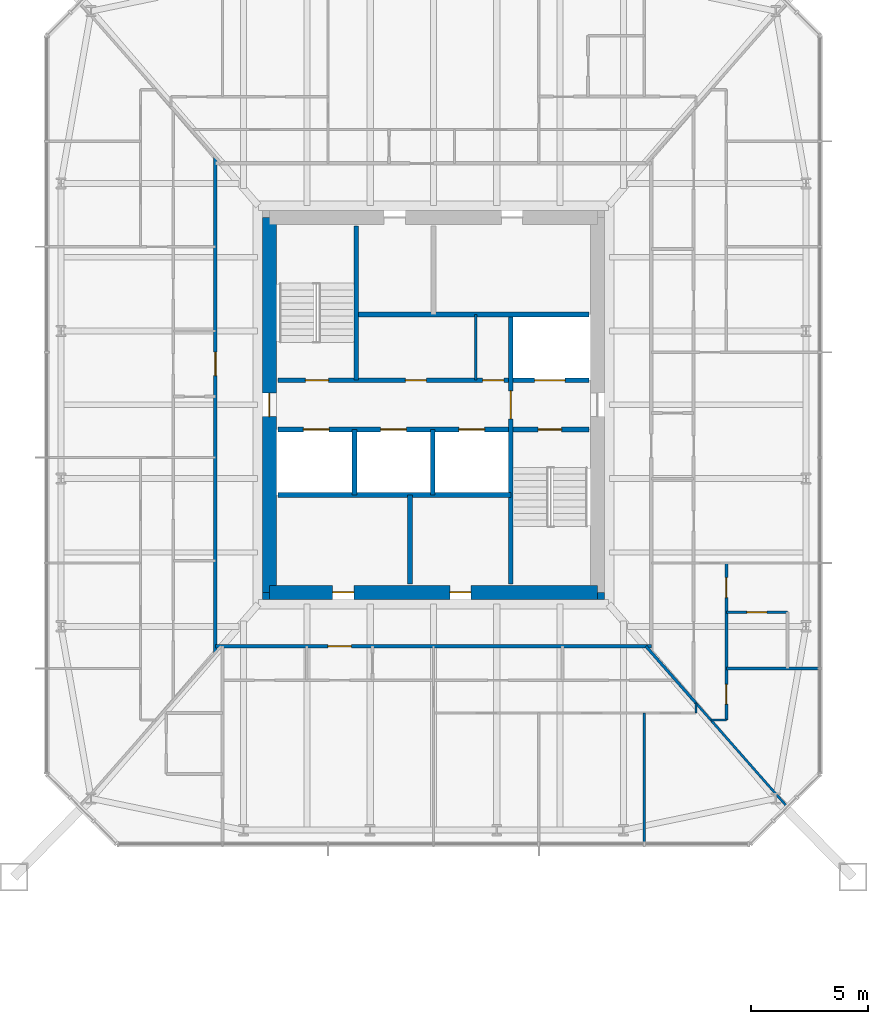
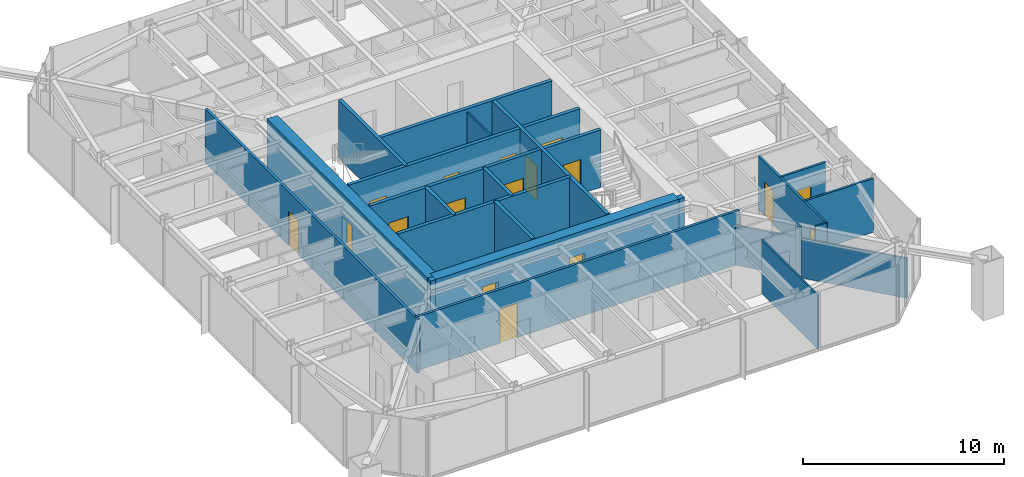
# One storey, part 19 of 26: 24 walls, 17 doors, 17 openings.
"""IFC4 building model written with IfcOpenShell, lengths in metres."""

from ifc_helpers import new_model, si_unit, direction, frame, frame_2d, origin, place, context, subcontext, project, spatial, rectangle, extrude, material, layer, layer_set, type_object, element, fill, save


model = new_model("IFC4")

# Units and contexts
model_context = context("Model", 3, precision=1e-05, world=origin(), true_north=direction((0.0, 1.0)))
body_context = subcontext(model_context, "Body", "Model", "MODEL_VIEW")
ifc_project = project(units=[si_unit("LENGTHUNIT", "METRE"), si_unit("AREAUNIT", "SQUARE_METRE"), si_unit("VOLUMEUNIT", "CUBIC_METRE"), si_unit("PLANEANGLEUNIT", "RADIAN"), si_unit("MASSUNIT", "GRAM", prefix="KILO")], contexts=[model_context])

# Site, building, storey
site_placement = place(None, origin())
site = spatial("IfcSite", under=ifc_project, at=site_placement, CompositionType="ELEMENT")
building_placement = place(site_placement, origin())
building = spatial("IfcBuilding", under=site, at=building_placement, Name="Iwan Alto Co-Living Towers", CompositionType="ELEMENT")
storey_placement = place(building_placement, frame((0.0, 0.0, 29.0)))
storey = spatial("IfcBuildingStorey", under=building, at=storey_placement, Name="L07", CompositionType="ELEMENT", Elevation=29.0)

# Wall, opening, door
ifc_material_1 = material(Name="Gypsum board")
ifc_layer_1 = layer(ifc_material_1, 0.02490234375, Name="Board", Category="Finish")
ifc_material_2 = material(Name="Steel ASTM A1003 ST33H cold-formed studs", Category="steel")
ifc_layer_2 = layer(ifc_material_2, 0.10009765625, Name="Studs", Category="Framing")
ifc_layer_3 = layer(ifc_material_1, 0.02490234375, Name="Board", Category="Finish")
ifc_layer_set_1 = layer_set([ifc_layer_1, ifc_layer_2, ifc_layer_3], Name="CORRIDOR WALL 150")
wall_type_1 = type_object("IfcWallType", Name="CORRIDOR WALL 150", PredefinedType="PARTITIONING", material=ifc_layer_set_1)
wall_1_placement = place(storey_placement, frame((53.699951171875, -10.300048828125, 0.0), z_axis=(0.0, 0.0, 1.0), x_axis=(1.0, 0.0, 0.0)))
wall_1 = element("IfcWall", 1, at=wall_1_placement, inside=storey, type_object=wall_type_1, Name="Partition L07", PredefinedType="PARTITIONING", context=body_context, shape_type="SweptSolid", body=[
    extrude(rectangle(XDim=18.60009765625, YDim=0.14990234375, at=frame_2d((9.300048828125, 0.0))), origin(), (0.0, 0.0, 1.0), 3.27001953125),
])
opening_1_placement = place(wall_1_placement, frame((4.800048828125, 0.0, 0.0)))
opening_1 = element("IfcOpeningElement", 2, at=opening_1_placement, cuts=wall_1, Name="Opening D3", PredefinedType="OPENING", context=body_context, shape_type="SweptSolid", body=[
    extrude(rectangle(XDim=1.0, YDim=2.10009765625, at=frame_2d((0.5, 1.050048828125))), frame((0.0, 0.0849609375, 0.0), z_axis=(0.0, -1.0, 0.0), x_axis=(1.0, 0.0, 0.0)), (0.0, 0.0, 1.0), 0.169921875),
])
ifc_material_3 = material(Name="Steel frame with timber leaf", Category="steel")
door_type_1 = type_object("IfcDoorType", Name="FLAT ENTRANCE DOOR FD30S 1000X2100", OperationType="SINGLE_SWING_LEFT", PredefinedType="DOOR", material=ifc_material_3)
door_1_placement = place(opening_1_placement, frame((1.0, 0.0, 0.0), z_axis=(0.0, 0.0, 1.0), x_axis=(-1.0, 0.0, 0.0)))
door_1 = element("IfcDoor", 3, at=door_1_placement, inside=storey, type_object=door_type_1, Name="Apartment foyer door L07", OperationType="SINGLE_SWING_RIGHT", OverallHeight=2.10009765625, OverallWidth=1.0, PredefinedType="DOOR", context=body_context, shape_type="SweptSolid", body=[
    extrude(rectangle(XDim=1.0, YDim=2.10009765625, at=frame_2d((0.5, 1.050048828125))), frame((0.0, 0.02490234375, 0.0), z_axis=(0.0, -1.0, 0.0), x_axis=(1.0, 0.0, 0.0)), (0.0, 0.0, 1.0), 0.050048828125),
])
fill(opening_1, door_1)

wall_2_placement = place(storey_placement, frame((53.699951171875, -10.568115234375, 0.0), z_axis=(0.0, 0.0, 1.0), x_axis=(0.0, 1.0, 0.0)))
wall_2 = element("IfcWall", 4, at=wall_2_placement, inside=storey, type_object=wall_type_1, Name="Partition L07", PredefinedType="PARTITIONING", context=body_context, shape_type="SweptSolid", body=[
    extrude(rectangle(XDim=21.13623046875, YDim=0.14990234375, at=frame_2d((10.568115234375, 0.0))), origin(), (0.0, 0.0, 1.0), 3.27001953125),
])
opening_2_placement = place(wall_2_placement, frame((11.818115234375, 0.0, 0.0)))
opening_2 = element("IfcOpeningElement", 5, at=opening_2_placement, cuts=wall_2, Name="Opening D3", PredefinedType="OPENING", context=body_context, shape_type="SweptSolid", body=[
    extrude(rectangle(XDim=1.0, YDim=2.10009765625, at=frame_2d((0.5, 1.050048828125))), frame((0.0, 0.0849609375, 0.0), z_axis=(0.0, -1.0, 0.0), x_axis=(1.0, 0.0, 0.0)), (0.0, 0.0, 1.0), 0.169921875),
])
door_2_placement = place(opening_2_placement, origin())
door_2 = element("IfcDoor", 6, at=door_2_placement, inside=storey, type_object=door_type_1, Name="Apartment foyer door L07", OperationType="SINGLE_SWING_LEFT", OverallHeight=2.10009765625, OverallWidth=1.0, PredefinedType="DOOR", context=body_context, shape_type="SweptSolid", body=[
    extrude(rectangle(XDim=1.0, YDim=2.10009765625, at=frame_2d((0.5, 1.050048828125))), frame((0.0, 0.02490234375, 0.0), z_axis=(0.0, -1.0, 0.0), x_axis=(1.0, 0.0, 0.0)), (0.0, 0.0, 1.0), 0.050048828125),
])
fill(opening_2, door_2)

# Walls
ifc_layer_4 = layer(ifc_material_1, 0.012451171875, Name="Board", Category="Finish")
ifc_layer_5 = layer(ifc_material_2, 0.074951171875, Name="Studs", Category="Framing")
ifc_layer_6 = layer(ifc_material_1, 0.012451171875, Name="Board", Category="Finish")
ifc_layer_set_2 = layer_set([ifc_layer_4, ifc_layer_5, ifc_layer_6], Name="PARTITION 100")
wall_type_2 = type_object("IfcWallType", Name="PARTITION 100", PredefinedType="PARTITIONING", material=ifc_layer_set_2)
wall_3_placement = place(storey_placement, frame((74.8359375, -13.449951171875, 0.0), z_axis=(0.0, 0.0, 1.0), x_axis=(1.0, 0.0, 0.0)))
element("IfcWall", 7, at=wall_3_placement, inside=storey, type_object=wall_type_2, Name="Partition L07", PredefinedType="PARTITIONING", context=body_context, shape_type="SweptSolid", body=[
    extrude(rectangle(XDim=0.6640625, YDim=0.10009765625, at=frame_2d((0.33203125, 0.0))), origin(), (0.0, 0.0, 1.0), 3.27001953125),
])
wall_4_placement = place(storey_placement, frame((74.199951171875, -13.14990234375, 0.0), z_axis=(0.0, 0.0, 1.0), x_axis=(0.0, 1.0, 0.0)))
element("IfcWall", 8, at=wall_4_placement, inside=storey, type_object=wall_type_2, Name="Partition L07", PredefinedType="PARTITIONING", context=body_context, shape_type="SweptSolid", body=[
    extrude(rectangle(XDim=0.4228515625, YDim=0.10009765625, at=frame_2d((0.21142578125, 0.0))), origin(), (0.0, 0.0, 1.0), 3.27001953125),
])
wall_5_placement = place(storey_placement, frame((72.0, -18.68994140625, 0.0), z_axis=(0.0, 0.0, 1.0), x_axis=(0.0, 1.0, 0.0)))
element("IfcWall", 9, at=wall_5_placement, inside=storey, type_object=wall_type_2, Name="Partition L07", PredefinedType="PARTITIONING", context=body_context, shape_type="SweptSolid", body=[
    extrude(rectangle(XDim=5.5400390625, YDim=0.10009765625, at=frame_2d((2.77001953125, 0.0))), origin(), (0.0, 0.0, 1.0), 3.27001953125),
])
wall_6_placement = place(storey_placement, frame((64.800048828125, 1.050048828125, 0.0), z_axis=(0.0, 0.0, 1.0), x_axis=(0.0, 1.0, 0.0)))
element("IfcWall", 10, at=wall_6_placement, inside=storey, type_object=wall_type_2, Name="Partition L07", PredefinedType="PARTITIONING", context=body_context, shape_type="SweptSolid", body=[
    extrude(rectangle(XDim=2.800048828125, YDim=0.10009765625, at=frame_2d((1.39990234375, 0.0))), origin(), (0.0, 0.0, 1.0), 3.300048828125),
])
wall_7_placement = place(storey_placement, frame((78.056884765625, -17.109130859375, 0.0), z_axis=(0.0, 0.0, 1.0), x_axis=(-0.660698595885, 0.750651294141, 0.0)))
element("IfcWall", 11, at=wall_7_placement, inside=storey, type_object=wall_type_2, Name="Partition L07", PredefinedType="PARTITIONING", context=body_context, shape_type="SweptSolid", body=[
    extrude(rectangle(XDim=5.838134765625, YDim=0.10009765625, at=frame_2d((2.9189453125, 0.0))), origin(), (0.0, 0.0, 1.0), 2.42919921875),
])
ifc_material_4 = material(Name="Concrete f'c 70 MPa", Category="concrete")
ifc_layer_7 = layer(ifc_material_4, 0.199951171875)
ifc_layer_set_3 = layer_set([ifc_layer_7], Name="SHAFT WALL 200")
wall_type_3 = type_object("IfcWallType", Name="SHAFT WALL 200", PredefinedType="SOLIDWALL", material=ifc_layer_set_3)
wall_8_placement = place(storey_placement, frame((56.360107421875, -3.85009765625, 0.0), z_axis=(0.0, 0.0, 1.0), x_axis=(1.0, 0.0, 0.0)))
element("IfcWall", 12, at=wall_8_placement, inside=storey, type_object=wall_type_3, Name="Shaft wall L07", PredefinedType="SOLIDWALL", context=body_context, shape_type="SweptSolid", body=[
    extrude(rectangle(XDim=9.93994140625, YDim=0.199951171875, at=frame_2d((4.969970703125, 0.0))), origin(), (0.0, 0.0, 1.0), 3.5),
])

# Wall, openings, doors
wall_9_placement = place(storey_placement, frame((56.360107421875, -1.050048828125, 0.0), z_axis=(0.0, 0.0, 1.0), x_axis=(1.0, 0.0, 0.0)))
wall_9 = element("IfcWall", 13, at=wall_9_placement, inside=storey, type_object=wall_type_3, Name="Shaft wall L07", PredefinedType="SOLIDWALL", context=body_context, shape_type="SweptSolid", body=[
    extrude(rectangle(XDim=13.27978515625, YDim=0.199951171875, at=frame_2d((6.639892578125, 0.0))), origin(), (0.0, 0.0, 1.0), 3.5),
])
opening_3_placement = place(wall_9_placement, frame((11.110107421875, 0.0, 0.0)))
opening_3 = element("IfcOpeningElement", 14, at=opening_3_placement, cuts=wall_9, Name="Opening D5", PredefinedType="OPENING", context=body_context, shape_type="SweptSolid", body=[
    extrude(rectangle(XDim=1.0, YDim=2.10009765625, at=frame_2d((0.5, 1.050048828125))), frame((0.0, 0.10986328125, 0.0), z_axis=(0.0, -1.0, 0.0), x_axis=(1.0, 0.0, 0.0)), (0.0, 0.0, 1.0), 0.219970703125),
])
opening_4_placement = place(wall_9_placement, frame((1.0869140625, 0.0, 0.0)))
opening_4 = element("IfcOpeningElement", 15, at=opening_4_placement, cuts=wall_9, Name="Opening LD", PredefinedType="OPENING", context=body_context, shape_type="SweptSolid", body=[
    extrude(rectangle(XDim=1.10009765625, YDim=2.10009765625, at=frame_2d((0.550048828125, 1.050048828125))), frame((0.0, 0.10986328125, 0.0), z_axis=(0.0, -1.0, 0.0), x_axis=(1.0, 0.0, 0.0)), (0.0, 0.0, 1.0), 0.219970703125),
])
opening_5_placement = place(wall_9_placement, frame((4.389892578125, 0.0, 0.0)))
opening_5 = element("IfcOpeningElement", 16, at=opening_5_placement, cuts=wall_9, Name="Opening LD", PredefinedType="OPENING", context=body_context, shape_type="SweptSolid", body=[
    extrude(rectangle(XDim=1.10009765625, YDim=2.10009765625, at=frame_2d((0.550048828125, 1.050048828125))), frame((0.0, 0.10986328125, 0.0), z_axis=(0.0, -1.0, 0.0), x_axis=(1.0, 0.0, 0.0)), (0.0, 0.0, 1.0), 0.219970703125),
])
opening_6_placement = place(wall_9_placement, frame((7.72412109375, 0.0, 0.0)))
opening_6 = element("IfcOpeningElement", 17, at=opening_6_placement, cuts=wall_9, Name="Opening LD", PredefinedType="OPENING", context=body_context, shape_type="SweptSolid", body=[
    extrude(rectangle(XDim=1.10009765625, YDim=2.10009765625, at=frame_2d((0.550048828125, 1.050048828125))), frame((0.0, 0.10986328125, 0.0), z_axis=(0.0, -1.0, 0.0), x_axis=(1.0, 0.0, 0.0)), (0.0, 0.0, 1.0), 0.219970703125),
])
ifc_material_5 = material(Name="Steel frame with timber leaf", Category="steel")
door_type_2 = type_object("IfcDoorType", Name="LIFT LANDING DOOR 1100X2100", OperationType="DOUBLE_DOOR_SLIDING", PredefinedType="DOOR", material=ifc_material_5)
door_3_placement = place(opening_4_placement, origin())
door_3 = element("IfcDoor", 18, at=door_3_placement, inside=storey, type_object=door_type_2, Name="Lift P5-1 landing door L07", OperationType="DOUBLE_DOOR_SLIDING", OverallHeight=2.10009765625, OverallWidth=1.10009765625, PredefinedType="DOOR", context=body_context, shape_type="SweptSolid", body=[
    extrude(rectangle(XDim=1.10009765625, YDim=2.10009765625, at=frame_2d((0.550048828125, 1.050048828125))), frame((0.0, 0.02490234375, 0.0), z_axis=(0.0, -1.0, 0.0), x_axis=(1.0, 0.0, 0.0)), (0.0, 0.0, 1.0), 0.050048828125),
])
fill(opening_4, door_3)
door_4_placement = place(opening_5_placement, origin())
door_4 = element("IfcDoor", 19, at=door_4_placement, inside=storey, type_object=door_type_2, Name="Lift P5-2 landing door L07", OperationType="DOUBLE_DOOR_SLIDING", OverallHeight=2.10009765625, OverallWidth=1.10009765625, PredefinedType="DOOR", context=body_context, shape_type="SweptSolid", body=[
    extrude(rectangle(XDim=1.10009765625, YDim=2.10009765625, at=frame_2d((0.550048828125, 1.050048828125))), frame((0.0, 0.02490234375, 0.0), z_axis=(0.0, -1.0, 0.0), x_axis=(1.0, 0.0, 0.0)), (0.0, 0.0, 1.0), 0.050048828125),
])
fill(opening_5, door_4)
door_5_placement = place(opening_6_placement, origin())
door_5 = element("IfcDoor", 20, at=door_5_placement, inside=storey, type_object=door_type_2, Name="Lift P6-3 landing door L07", OperationType="DOUBLE_DOOR_SLIDING", OverallHeight=2.10009765625, OverallWidth=1.10009765625, PredefinedType="DOOR", context=body_context, shape_type="SweptSolid", body=[
    extrude(rectangle(XDim=1.10009765625, YDim=2.10009765625, at=frame_2d((0.550048828125, 1.050048828125))), frame((0.0, 0.02490234375, 0.0), z_axis=(0.0, -1.0, 0.0), x_axis=(1.0, 0.0, 0.0)), (0.0, 0.0, 1.0), 0.050048828125),
])
fill(opening_6, door_5)
ifc_material_6 = material(Name="Steel frame with timber leaf", Category="steel")
door_type_3 = type_object("IfcDoorType", Name="STAIR DOOR FD120S 1000X2100", OperationType="SINGLE_SWING_LEFT", PredefinedType="DOOR", material=ifc_material_6)
door_6_placement = place(opening_3_placement, frame((1.0, 0.0, 0.0), z_axis=(0.0, 0.0, 1.0), x_axis=(-1.0, 0.0, 0.0)))
door_6 = element("IfcDoor", 21, at=door_6_placement, inside=storey, type_object=door_type_3, Name="Stair S2 door L07", OperationType="SINGLE_SWING_RIGHT", OverallHeight=2.10009765625, OverallWidth=1.0, PredefinedType="DOOR", context=body_context, shape_type="SweptSolid", body=[
    extrude(rectangle(XDim=1.0, YDim=2.10009765625, at=frame_2d((0.5, 1.050048828125))), frame((0.0, 0.02490234375, 0.0), z_axis=(0.0, -1.0, 0.0), x_axis=(1.0, 0.0, 0.0)), (0.0, 0.0, 1.0), 0.050048828125),
])
fill(opening_3, door_6)

wall_10_placement = place(storey_placement, frame((56.360107421875, 1.050048828125, 0.0), z_axis=(0.0, 0.0, 1.0), x_axis=(1.0, 0.0, 0.0)))
wall_10 = element("IfcWall", 22, at=wall_10_placement, inside=storey, type_object=wall_type_3, Name="Shaft wall L07", PredefinedType="SOLIDWALL", context=body_context, shape_type="SweptSolid", body=[
    extrude(rectangle(XDim=13.27978515625, YDim=0.199951171875, at=frame_2d((6.639892578125, 0.0))), origin(), (0.0, 0.0, 1.0), 3.5),
])
opening_7_placement = place(wall_10_placement, frame((1.169921875, 0.0, 0.0)))
opening_7 = element("IfcOpeningElement", 23, at=opening_7_placement, cuts=wall_10, Name="Opening D5", PredefinedType="OPENING", context=body_context, shape_type="SweptSolid", body=[
    extrude(rectangle(XDim=1.0, YDim=2.10009765625, at=frame_2d((0.5, 1.050048828125))), frame((0.0, 0.10986328125, 0.0), z_axis=(0.0, -1.0, 0.0), x_axis=(1.0, 0.0, 0.0)), (0.0, 0.0, 1.0), 0.219970703125),
])
opening_8_placement = place(wall_10_placement, frame((5.43994140625, 0.0, 0.0)))
opening_8 = element("IfcOpeningElement", 24, at=opening_8_placement, cuts=wall_10, Name="Opening D8", PredefinedType="OPENING", context=body_context, shape_type="SweptSolid", body=[
    extrude(rectangle(XDim=0.89990234375, YDim=2.10009765625, at=frame_2d((0.449951171875, 1.050048828125))), frame((0.0, 0.10986328125, 0.0), z_axis=(0.0, -1.0, 0.0), x_axis=(1.0, 0.0, 0.0)), (0.0, 0.0, 1.0), 0.219970703125),
])
opening_9_placement = place(wall_10_placement, frame((8.739990234375, 0.0, 0.0)))
opening_9 = element("IfcOpeningElement", 25, at=opening_9_placement, cuts=wall_10, Name="Opening D15", PredefinedType="OPENING", context=body_context, shape_type="SweptSolid", body=[
    extrude(rectangle(XDim=0.89990234375, YDim=2.10009765625, at=frame_2d((0.449951171875, 1.050048828125))), frame((0.0, 0.10986328125, 0.0), z_axis=(0.0, -1.0, 0.0), x_axis=(1.0, 0.0, 0.0)), (0.0, 0.0, 1.0), 0.219970703125),
])
opening_10_placement = place(wall_10_placement, frame((10.9599609375, 0.0, 0.0)))
opening_10 = element("IfcOpeningElement", 26, at=opening_10_placement, cuts=wall_10, Name="Opening LD2", PredefinedType="OPENING", context=body_context, shape_type="SweptSolid", body=[
    extrude(rectangle(XDim=1.300048828125, YDim=2.10009765625, at=frame_2d((0.64990234375, 1.050048828125))), frame((0.0, 0.10986328125, 0.0), z_axis=(0.0, -1.0, 0.0), x_axis=(1.0, 0.0, 0.0)), (0.0, 0.0, 1.0), 0.219970703125),
])
ifc_material_7 = material(Name="Steel frame with timber leaf", Category="steel")
door_type_4 = type_object("IfcDoorType", Name="CORE ROOM DOOR FD60S 900X2100", OperationType="SINGLE_SWING_LEFT", PredefinedType="DOOR", material=ifc_material_7)
door_7_placement = place(opening_9_placement, origin())
door_7 = element("IfcDoor", 27, at=door_7_placement, inside=storey, type_object=door_type_4, Name="IT room door L07", OperationType="SINGLE_SWING_LEFT", OverallHeight=2.10009765625, OverallWidth=0.89990234375, PredefinedType="DOOR", context=body_context, shape_type="SweptSolid", body=[
    extrude(rectangle(XDim=0.89990234375, YDim=2.10009765625, at=frame_2d((0.449951171875, 1.050048828125))), frame((0.0, 0.02490234375, 0.0), z_axis=(0.0, -1.0, 0.0), x_axis=(1.0, 0.0, 0.0)), (0.0, 0.0, 1.0), 0.050048828125),
])
fill(opening_9, door_7)
ifc_material_8 = material(Name="Steel frame with timber leaf", Category="steel")
door_type_5 = type_object("IfcDoorType", Name="LIFT LANDING DOOR 1300X2100", OperationType="SLIDING_TO_LEFT", PredefinedType="DOOR", material=ifc_material_8)
door_8_placement = place(opening_10_placement, origin())
door_8 = element("IfcDoor", 28, at=door_8_placement, inside=storey, type_object=door_type_5, Name="Lift FL2 landing door L07", OperationType="SLIDING_TO_LEFT", OverallHeight=2.10009765625, OverallWidth=1.300048828125, PredefinedType="DOOR", context=body_context, shape_type="SweptSolid", body=[
    extrude(rectangle(XDim=1.300048828125, YDim=2.10009765625, at=frame_2d((0.64990234375, 1.050048828125))), frame((0.0, 0.02490234375, 0.0), z_axis=(0.0, -1.0, 0.0), x_axis=(1.0, 0.0, 0.0)), (0.0, 0.0, 1.0), 0.050048828125),
])
fill(opening_10, door_8)
ifc_material_9 = material(Name="Steel frame with timber leaf", Category="steel")
door_type_6 = type_object("IfcDoorType", Name="RISER DOOR FD120 900X2100", OperationType="SINGLE_SWING_LEFT", PredefinedType="DOOR", material=ifc_material_9)
door_9_placement = place(opening_8_placement, origin())
door_9 = element("IfcDoor", 29, at=door_9_placement, inside=storey, type_object=door_type_6, Name="Riser room door L07", OperationType="SINGLE_SWING_LEFT", OverallHeight=2.10009765625, OverallWidth=0.89990234375, PredefinedType="DOOR", context=body_context, shape_type="SweptSolid", body=[
    extrude(rectangle(XDim=0.89990234375, YDim=2.10009765625, at=frame_2d((0.449951171875, 1.050048828125))), frame((0.0, 0.02490234375, 0.0), z_axis=(0.0, -1.0, 0.0), x_axis=(1.0, 0.0, 0.0)), (0.0, 0.0, 1.0), 0.050048828125),
])
fill(opening_8, door_9)
door_10_placement = place(opening_7_placement, origin())
door_10 = element("IfcDoor", 30, at=door_10_placement, inside=storey, type_object=door_type_3, Name="Stair S1 door L07", OperationType="SINGLE_SWING_RIGHT", OverallHeight=2.10009765625, OverallWidth=1.0, PredefinedType="DOOR", context=body_context, shape_type="SweptSolid", body=[
    extrude(rectangle(XDim=1.0, YDim=2.10009765625, at=frame_2d((0.5, 1.050048828125))), frame((0.0, 0.02490234375, 0.0), z_axis=(0.0, -1.0, 0.0), x_axis=(1.0, 0.0, 0.0)), (0.0, 0.0, 1.0), 0.050048828125),
])
fill(opening_7, door_10)

# Wall
wall_11_placement = place(storey_placement, frame((59.699951171875, 3.85009765625, 0.0), z_axis=(0.0, 0.0, 1.0), x_axis=(1.0, 0.0, 0.0)))
element("IfcWall", 31, at=wall_11_placement, inside=storey, type_object=wall_type_3, Name="Shaft wall L07", PredefinedType="SOLIDWALL", context=body_context, shape_type="SweptSolid", body=[
    extrude(rectangle(XDim=9.93994140625, YDim=0.199951171875, at=frame_2d((4.969970703125, 0.0))), origin(), (0.0, 0.0, 1.0), 3.5),
])

# Wall, opening, door
wall_12_placement = place(storey_placement, frame((66.300048828125, -7.639892578125, 0.0), z_axis=(0.0, 0.0, 1.0), x_axis=(0.0, 1.0, 0.0)))
wall_12 = element("IfcWall", 32, at=wall_12_placement, inside=storey, type_object=wall_type_3, Name="Shaft wall L07", PredefinedType="SOLIDWALL", context=body_context, shape_type="SweptSolid", body=[
    extrude(rectangle(XDim=11.489990234375, YDim=0.199951171875, at=frame_2d((5.7451171875, 0.0))), origin(), (0.0, 0.0, 1.0), 3.5),
])
opening_11_placement = place(wall_12_placement, frame((7.0400390625, 0.0, 0.0)))
opening_11 = element("IfcOpeningElement", 33, at=opening_11_placement, cuts=wall_12, Name="Opening D6", PredefinedType="OPENING", context=body_context, shape_type="SweptSolid", body=[
    extrude(rectangle(XDim=1.199951171875, YDim=2.10009765625, at=frame_2d((0.60009765625, 1.050048828125))), frame((0.0, 0.10986328125, 0.0), z_axis=(0.0, -1.0, 0.0), x_axis=(1.0, 0.0, 0.0)), (0.0, 0.0, 1.0), 0.219970703125),
])
ifc_material_10 = material(Name="Steel frame with timber leaf", Category="steel")
door_type_7 = type_object("IfcDoorType", Name="LOBBY DOOR FD120S 1200X2100", OperationType="SINGLE_SWING_LEFT", PredefinedType="DOOR", material=ifc_material_10)
door_11_placement = place(opening_11_placement, frame((1.199951171875, 0.0, 0.0), z_axis=(0.0, 0.0, 1.0), x_axis=(-1.0, 0.0, 0.0)))
door_11 = element("IfcDoor", 34, at=door_11_placement, inside=storey, type_object=door_type_7, Name="Firefighting lobby door L07", OperationType="SINGLE_SWING_RIGHT", OverallHeight=2.10009765625, OverallWidth=1.199951171875, PredefinedType="DOOR", context=body_context, shape_type="SweptSolid", body=[
    extrude(rectangle(XDim=1.199951171875, YDim=2.10009765625, at=frame_2d((0.60009765625, 1.050048828125))), frame((0.0, 0.02490234375, 0.0), z_axis=(0.0, -1.0, 0.0), x_axis=(1.0, 0.0, 0.0)), (0.0, 0.0, 1.0), 0.050048828125),
])
fill(opening_11, door_11)

# Walls
wall_13_placement = place(storey_placement, frame((62.967041015625, -3.85009765625, 0.0), z_axis=(0.0, 0.0, 1.0), x_axis=(0.0, 1.0, 0.0)))
element("IfcWall", 35, at=wall_13_placement, inside=storey, type_object=wall_type_3, Name="Shaft wall L07", PredefinedType="SOLIDWALL", context=body_context, shape_type="SweptSolid", body=[
    extrude(rectangle(XDim=2.800048828125, YDim=0.199951171875, at=frame_2d((1.39990234375, 0.0))), origin(), (0.0, 0.0, 1.0), 3.5),
])
wall_14_placement = place(storey_placement, frame((62.0, -7.639892578125, 0.0), z_axis=(0.0, 0.0, 1.0), x_axis=(0.0, 1.0, 0.0)))
element("IfcWall", 36, at=wall_14_placement, inside=storey, type_object=wall_type_3, Name="Shaft wall L07", PredefinedType="SOLIDWALL", context=body_context, shape_type="SweptSolid", body=[
    extrude(rectangle(XDim=3.789794921875, YDim=0.199951171875, at=frame_2d((1.89501953125, 0.0))), origin(), (0.0, 0.0, 1.0), 3.5),
])
wall_15_placement = place(storey_placement, frame((59.699951171875, 1.050048828125, 0.0), z_axis=(0.0, 0.0, 1.0), x_axis=(0.0, 1.0, 0.0)))
element("IfcWall", 37, at=wall_15_placement, inside=storey, type_object=wall_type_3, Name="Shaft wall L07", PredefinedType="SOLIDWALL", context=body_context, shape_type="SweptSolid", body=[
    extrude(rectangle(XDim=6.58984375, YDim=0.199951171875, at=frame_2d((3.294921875, 0.0))), origin(), (0.0, 0.0, 1.0), 3.5),
])
wall_16_placement = place(storey_placement, frame((59.633056640625, -3.85009765625, 0.0), z_axis=(0.0, 0.0, 1.0), x_axis=(0.0, 1.0, 0.0)))
element("IfcWall", 38, at=wall_16_placement, inside=storey, type_object=wall_type_3, Name="Shaft wall L07", PredefinedType="SOLIDWALL", context=body_context, shape_type="SweptSolid", body=[
    extrude(rectangle(XDim=2.800048828125, YDim=0.199951171875, at=frame_2d((1.39990234375, 0.0))), origin(), (0.0, 0.0, 1.0), 3.5),
])
ifc_material_11 = material(Name="Concrete f'c 70 MPa", Category="concrete")
ifc_layer_8 = layer(ifc_material_11, 0.300048828125)
ifc_layer_set_4 = layer_set([ifc_layer_8], Name="T2 CORE CORNER FILL 300")
wall_type_4 = type_object("IfcWallType", Name="T2 CORE CORNER FILL 300", PredefinedType="SOLIDWALL", material=ifc_layer_set_4)
for number, where, z_axis, x_axis, name in (
    (39, (55.699951171875, -8.14990234375, 0.0), (0.0, 0.0, 1.0), (1.0, 0.0, 0.0), "T2 core corner SW L07"),
    (40, (70.0, -8.14990234375, 0.0), (0.0, 0.0, 1.0), (1.0, 0.0, 0.0), "T2 core corner SE L07"),
):
    element("IfcWall", number, at=place(storey_placement, frame(where, z_axis=z_axis, x_axis=x_axis)), inside=storey, type_object=wall_type_4, Name=name, PredefinedType="SOLIDWALL", context=body_context, shape_type="SweptSolid", body=[
        extrude(rectangle(XDim=0.300048828125, YDim=0.300048828125, at=frame_2d((0.14990234375, 0.0))), origin(), (0.0, 0.0, 1.0), 3.5),
    ])

# Wall, openings, doors
ifc_material_12 = material(Name="Concrete f'c 70 MPa", Category="concrete")
ifc_layer_9 = layer(ifc_material_12, 0.60009765625)
ifc_layer_set_5 = layer_set([ifc_layer_9], Name="T2 CORE WALL 600")
wall_type_5 = type_object("IfcWallType", Name="T2 CORE WALL 600", PredefinedType="SHEAR", material=ifc_layer_set_5)
wall_17_placement = place(storey_placement, frame((56.0, -8.0, 0.0), z_axis=(0.0, 0.0, 1.0), x_axis=(1.0, 0.0, 0.0)))
wall_17 = element("IfcWall", 41, at=wall_17_placement, inside=storey, type_object=wall_type_5, Name="T2 core wall S L07", PredefinedType="SHEAR", context=body_context, shape_type="SweptSolid", body=[
    extrude(rectangle(XDim=14.0, YDim=0.60009765625, at=frame_2d((7.0, 0.0))), origin(), (0.0, 0.0, 1.0), 3.5),
])
opening_12_placement = place(wall_17_placement, frame((2.699951171875, 0.0, 0.0)))
opening_12 = element("IfcOpeningElement", 42, at=opening_12_placement, cuts=wall_17, Name="Opening D8", PredefinedType="OPENING", context=body_context, shape_type="SweptSolid", body=[
    extrude(rectangle(XDim=0.89990234375, YDim=2.10009765625, at=frame_2d((0.449951171875, 1.050048828125))), frame((0.0, 0.31005859375, 0.0), z_axis=(0.0, -1.0, 0.0), x_axis=(1.0, 0.0, 0.0)), (0.0, 0.0, 1.0), 0.6201171875),
])
opening_13_placement = place(wall_17_placement, frame((7.699951171875, 0.0, 0.0)))
opening_13 = element("IfcOpeningElement", 43, at=opening_13_placement, cuts=wall_17, Name="Opening D8", PredefinedType="OPENING", context=body_context, shape_type="SweptSolid", body=[
    extrude(rectangle(XDim=0.89990234375, YDim=2.10009765625, at=frame_2d((0.449951171875, 1.050048828125))), frame((0.0, 0.31005859375, 0.0), z_axis=(0.0, -1.0, 0.0), x_axis=(1.0, 0.0, 0.0)), (0.0, 0.0, 1.0), 0.6201171875),
])
door_12_placement = place(opening_12_placement, origin())
door_12 = element("IfcDoor", 44, at=door_12_placement, inside=storey, type_object=door_type_6, Name="Refuse room core door L07", OperationType="SINGLE_SWING_LEFT", OverallHeight=2.10009765625, OverallWidth=0.89990234375, PredefinedType="DOOR", context=body_context, shape_type="SweptSolid", body=[
    extrude(rectangle(XDim=0.89990234375, YDim=2.10009765625, at=frame_2d((0.449951171875, 1.050048828125))), frame((0.0, 0.02490234375, 0.0), z_axis=(0.0, -1.0, 0.0), x_axis=(1.0, 0.0, 0.0)), (0.0, 0.0, 1.0), 0.050048828125),
])
fill(opening_12, door_12)
door_13_placement = place(opening_13_placement, origin())
door_13 = element("IfcDoor", 45, at=door_13_placement, inside=storey, type_object=door_type_6, Name="Telecom riser core door L07", OperationType="SINGLE_SWING_LEFT", OverallHeight=2.10009765625, OverallWidth=0.89990234375, PredefinedType="DOOR", context=body_context, shape_type="SweptSolid", body=[
    extrude(rectangle(XDim=0.89990234375, YDim=2.10009765625, at=frame_2d((0.449951171875, 1.050048828125))), frame((0.0, 0.02490234375, 0.0), z_axis=(0.0, -1.0, 0.0), x_axis=(1.0, 0.0, 0.0)), (0.0, 0.0, 1.0), 0.050048828125),
])
fill(opening_13, door_13)

# Wall, opening, door
wall_18_placement = place(storey_placement, frame((56.0, 8.0, 0.0), z_axis=(0.0, 0.0, 1.0), x_axis=(0.0, -1.0, 0.0)))
wall_18 = element("IfcWall", 46, at=wall_18_placement, inside=storey, type_object=wall_type_5, Name="T2 core wall W L07", PredefinedType="SHEAR", context=body_context, shape_type="SweptSolid", body=[
    extrude(rectangle(XDim=16.0, YDim=0.60009765625, at=frame_2d((8.0, 0.0))), origin(), (0.0, 0.0, 1.0), 3.5),
])
opening_14_placement = place(wall_18_placement, frame((7.5, 0.0, 0.0)))
opening_14 = element("IfcOpeningElement", 47, at=opening_14_placement, cuts=wall_18, Name="Opening D7", PredefinedType="OPENING", context=body_context, shape_type="SweptSolid", body=[
    extrude(rectangle(XDim=1.0, YDim=2.10009765625, at=frame_2d((0.5, 1.050048828125))), frame((0.0, 0.31005859375, 0.0), z_axis=(0.0, -1.0, 0.0), x_axis=(1.0, 0.0, 0.0)), (0.0, 0.0, 1.0), 0.6201171875),
])
ifc_material_13 = material(Name="Steel frame with timber leaf", Category="steel")
door_type_8 = type_object("IfcDoorType", Name="CORE DOOR FD120S 1000X2100", OperationType="SINGLE_SWING_LEFT", PredefinedType="DOOR", material=ifc_material_13)
door_14_placement = place(opening_14_placement, origin())
door_14 = element("IfcDoor", 48, at=door_14_placement, inside=storey, type_object=door_type_8, Name="Lift lobby core door L07", OperationType="SINGLE_SWING_RIGHT", OverallHeight=2.10009765625, OverallWidth=1.0, PredefinedType="DOOR", context=body_context, shape_type="SweptSolid", body=[
    extrude(rectangle(XDim=1.0, YDim=2.10009765625, at=frame_2d((0.5, 1.050048828125))), frame((0.0, 0.02490234375, 0.0), z_axis=(0.0, -1.0, 0.0), x_axis=(1.0, 0.0, 0.0)), (0.0, 0.0, 1.0), 0.050048828125),
])
fill(opening_14, door_14)

# Wall
ifc_material_14 = material(Name="Cement board")
ifc_layer_10 = layer(ifc_material_14, 0.012451171875, Name="Board", Category="Finish")
ifc_layer_11 = layer(ifc_material_2, 0.094970703125, Name="Studs", Category="Framing")
ifc_layer_12 = layer(ifc_material_14, 0.012451171875, Name="Board", Category="Finish")
ifc_layer_set_6 = layer_set([ifc_layer_10, ifc_layer_11, ifc_layer_12], Name="WET AREA PARTITION 120")
wall_type_6 = type_object("IfcWallType", Name="WET AREA PARTITION 120", PredefinedType="PARTITIONING", material=ifc_layer_set_6)
wall_19_placement = place(storey_placement, frame((75.5, -11.25, 0.0), z_axis=(0.0, 0.0, 1.0), x_axis=(1.0, 0.0, 0.0)))
element("IfcWall", 49, at=wall_19_placement, inside=storey, type_object=wall_type_6, Name="Partition L07", PredefinedType="PARTITIONING", context=body_context, shape_type="SweptSolid", body=[
    extrude(rectangle(XDim=3.93994140625, YDim=0.1201171875, at=frame_2d((1.969970703125, 0.0))), origin(), (0.0, 0.0, 1.0), 3.27001953125),
])

# Wall, opening, door
wall_20_placement = place(storey_placement, frame((75.5, -8.85009765625, 0.0), z_axis=(0.0, 0.0, 1.0), x_axis=(1.0, 0.0, 0.0)))
wall_20 = element("IfcWall", 50, at=wall_20_placement, inside=storey, type_object=wall_type_6, Name="Partition L07", PredefinedType="PARTITIONING", context=body_context, shape_type="SweptSolid", body=[
    extrude(rectangle(XDim=2.60009765625, YDim=0.1201171875, at=frame_2d((1.300048828125, 0.0))), origin(), (0.0, 0.0, 1.0), 3.27001953125),
])
opening_15_placement = place(wall_20_placement, frame((0.875, 0.0, 0.0)))
opening_15 = element("IfcOpeningElement", 51, at=opening_15_placement, cuts=wall_20, Name="Opening D2", PredefinedType="OPENING", context=body_context, shape_type="SweptSolid", body=[
    extrude(rectangle(XDim=0.85009765625, YDim=2.10009765625, at=frame_2d((0.425048828125, 1.050048828125))), frame((0.0, 0.070068359375, 0.0), z_axis=(0.0, -1.0, 0.0), x_axis=(1.0, 0.0, 0.0)), (0.0, 0.0, 1.0), 0.14013671875),
])
ifc_material_15 = material(Name="Timber leaf in steel frame", Category="steel")
door_type_9 = type_object("IfcDoorType", Name="ROOM DOOR 850X2100", OperationType="SINGLE_SWING_LEFT", PredefinedType="DOOR", material=ifc_material_15)
door_15_placement = place(opening_15_placement, origin())
door_15 = element("IfcDoor", 52, at=door_15_placement, inside=storey, type_object=door_type_9, Name="En-suite shower room door L07", OperationType="SINGLE_SWING_LEFT", OverallHeight=2.10009765625, OverallWidth=0.85009765625, PredefinedType="DOOR", context=body_context, shape_type="SweptSolid", body=[
    extrude(rectangle(XDim=0.85009765625, YDim=2.10009765625, at=frame_2d((0.425048828125, 1.050048828125))), frame((0.0, 0.02490234375, 0.0), z_axis=(0.0, -1.0, 0.0), x_axis=(1.0, 0.0, 0.0)), (0.0, 0.0, 1.0), 0.050048828125),
])
fill(opening_15, door_15)

# Wall, openings, doors
wall_21_placement = place(storey_placement, frame((75.5, -13.449951171875, 0.0), z_axis=(0.0, 0.0, 1.0), x_axis=(0.0, 1.0, 0.0)))
wall_21 = element("IfcWall", 53, at=wall_21_placement, inside=storey, type_object=wall_type_6, Name="Partition L07", PredefinedType="PARTITIONING", context=body_context, shape_type="SweptSolid", body=[
    extrude(rectangle(XDim=6.699951171875, YDim=0.1201171875, at=frame_2d((3.35009765625, 0.0))), origin(), (0.0, 0.0, 1.0), 3.27001953125),
])
opening_16_placement = place(wall_21_placement, frame((5.22509765625, 0.0, 0.0)))
opening_16 = element("IfcOpeningElement", 54, at=opening_16_placement, cuts=wall_21, Name="Opening D2", PredefinedType="OPENING", context=body_context, shape_type="SweptSolid", body=[
    extrude(rectangle(XDim=0.85009765625, YDim=2.10009765625, at=frame_2d((0.425048828125, 1.050048828125))), frame((0.0, 0.070068359375, 0.0), z_axis=(0.0, -1.0, 0.0), x_axis=(1.0, 0.0, 0.0)), (0.0, 0.0, 1.0), 0.14013671875),
])
opening_17_placement = place(wall_21_placement, frame((0.675048828125, 0.0, 0.0)))
opening_17 = element("IfcOpeningElement", 55, at=opening_17_placement, cuts=wall_21, Name="Opening D2", PredefinedType="OPENING", context=body_context, shape_type="SweptSolid", body=[
    extrude(rectangle(XDim=0.85009765625, YDim=2.10009765625, at=frame_2d((0.425048828125, 1.050048828125))), frame((0.0, 0.070068359375, 0.0), z_axis=(0.0, -1.0, 0.0), x_axis=(1.0, 0.0, 0.0)), (0.0, 0.0, 1.0), 0.14013671875),
])
door_16_placement = place(opening_16_placement, frame((0.85009765625, 0.0, 0.0), z_axis=(0.0, 0.0, 1.0), x_axis=(-1.0, 0.0, 0.0)))
door_16 = element("IfcDoor", 56, at=door_16_placement, inside=storey, type_object=door_type_9, Name="Bedroom door L07", OperationType="SINGLE_SWING_RIGHT", OverallHeight=2.10009765625, OverallWidth=0.85009765625, PredefinedType="DOOR", context=body_context, shape_type="SweptSolid", body=[
    extrude(rectangle(XDim=0.85009765625, YDim=2.10009765625, at=frame_2d((0.425048828125, 1.050048828125))), frame((0.0, 0.02490234375, 0.0), z_axis=(0.0, -1.0, 0.0), x_axis=(1.0, 0.0, 0.0)), (0.0, 0.0, 1.0), 0.050048828125),
])
fill(opening_16, door_16)
door_17_placement = place(opening_17_placement, frame((0.85009765625, 0.0, 0.0), z_axis=(0.0, 0.0, 1.0), x_axis=(-1.0, 0.0, 0.0)))
door_17 = element("IfcDoor", 57, at=door_17_placement, inside=storey, type_object=door_type_9, Name="Bedroom door L07", OperationType="SINGLE_SWING_LEFT", OverallHeight=2.10009765625, OverallWidth=0.85009765625, PredefinedType="DOOR", context=body_context, shape_type="SweptSolid", body=[
    extrude(rectangle(XDim=0.85009765625, YDim=2.10009765625, at=frame_2d((0.425048828125, 1.050048828125))), frame((0.0, 0.02490234375, 0.0), z_axis=(0.0, -1.0, 0.0), x_axis=(1.0, 0.0, 0.0)), (0.0, 0.0, 1.0), 0.050048828125),
])
fill(opening_17, door_17)

# Wall
wall_22_placement = place(storey_placement, frame((74.199951171875, -12.72705078125, 0.0), z_axis=(0.0, 0.0, 1.0), x_axis=(-0.660667046586, 0.75067906162, 0.0)))
element("IfcWall", 58, at=wall_22_placement, inside=storey, type_object=wall_type_6, Name="Partition L07", PredefinedType="PARTITIONING", context=body_context, shape_type="SweptSolid", body=[
    extrude(rectangle(XDim=3.233154296875, YDim=0.1201171875, at=frame_2d((1.61669921875, 0.0))), origin(), (0.0, 0.0, 1.0), 2.42919921875),
])

save(model, "model.ifc")
